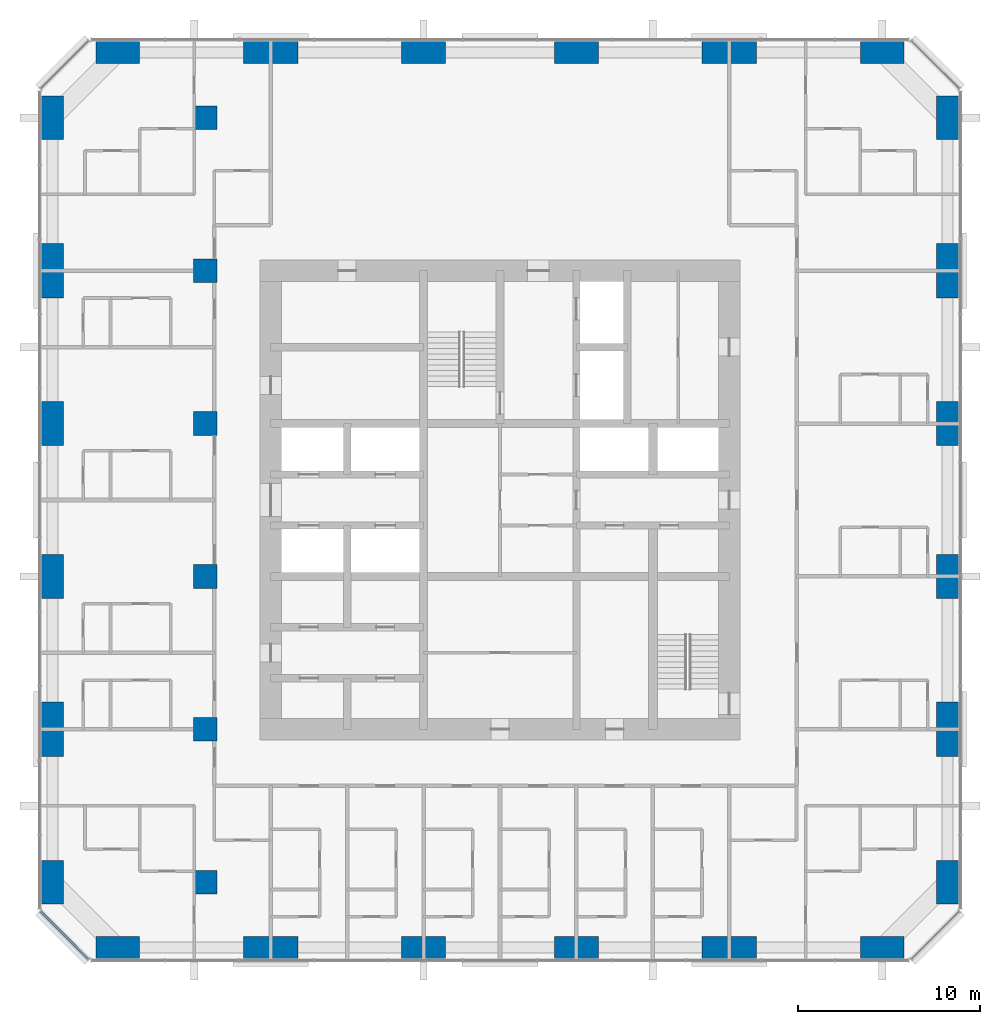
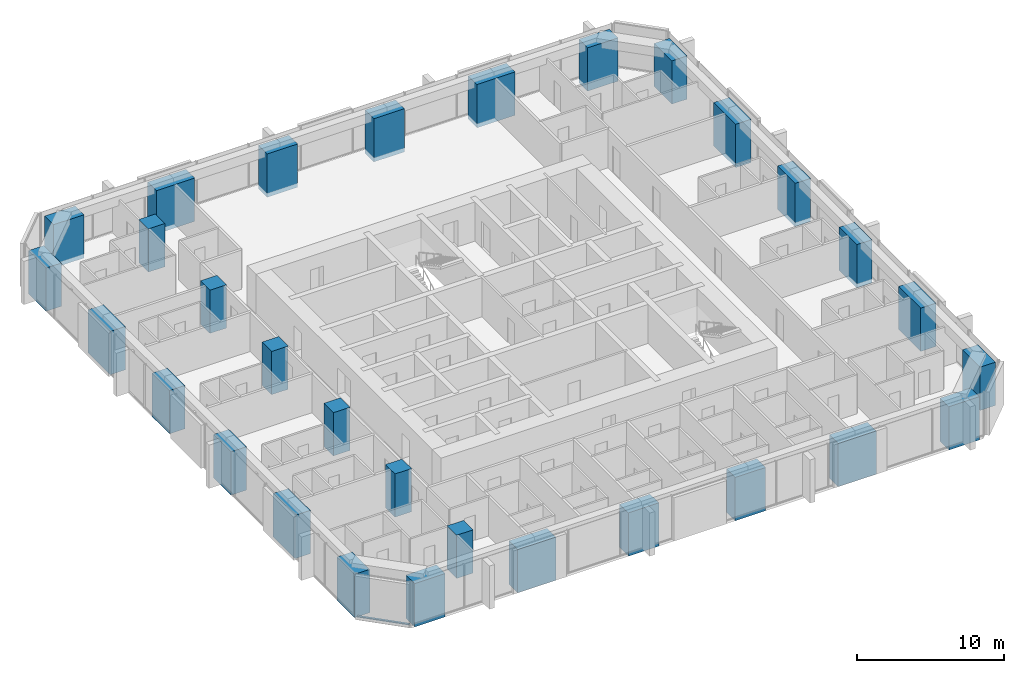
# One storey, part 1 of 14: 30 columns, 1 member, 1 element without a shape of its own.
"""IFC4 building model written with IfcOpenShell, lengths in metres."""

from ifc_helpers import new_model, si_unit, direction, frame, origin, origin_2d, place, context, subcontext, project, spatial, rectangle, extrude, material, material_profile, profile_set, type_object, element, aggregate, save


model = new_model("IFC4")

# Units and contexts
model_context = context("Model", 3, precision=1e-05, world=origin(), true_north=direction((0.0, 1.0)))
body_context = subcontext(model_context, "Body", "Model", "MODEL_VIEW")
ifc_project = project(units=[si_unit("LENGTHUNIT", "METRE"), si_unit("AREAUNIT", "SQUARE_METRE"), si_unit("VOLUMEUNIT", "CUBIC_METRE"), si_unit("PLANEANGLEUNIT", "RADIAN"), si_unit("MASSUNIT", "GRAM", prefix="KILO")], contexts=[model_context])

# Site, building, storey
site_placement = place(None, origin())
site = spatial("IfcSite", under=ifc_project, at=site_placement, CompositionType="ELEMENT")
building_placement = place(site_placement, origin())
building = spatial("IfcBuilding", under=site, at=building_placement, Name="Dunama Terrace Hotel", CompositionType="ELEMENT")
storey_placement = place(building_placement, frame((0.0, 0.0, 213.0)))
storey = spatial("IfcBuildingStorey", under=building, at=storey_placement, Name="L55", CompositionType="ELEMENT", Elevation=213.0)

# Columns
ifc_material_1 = material(Name="Concrete C60/75", Category="concrete")
ifc_material_profile_1 = material_profile(ifc_material_1, rectangle(XDim=1.199951171875, YDim=2.39990234375, at=origin_2d()), Name="RC 1200x2400")
ifc_profile_set_1 = profile_set([ifc_material_profile_1], Name="Concrete C60/75")
column_type_1 = type_object("IfcColumnType", Name="Column RC 1200x2400", PredefinedType="COLUMN", material=ifc_profile_set_1)
for number, where, z_axis, x_axis, name in (
    (1, (4.800048828125, 8.39990234375, -0.35009765625), (0.0, 0.0, 1.0), (1.0, 0.0, 0.0), "Column L55 +4.8/+8.4"),
    (2, (4.800048828125, 25.199951171875, -0.35009765625), (0.0, 0.0, 1.0), (1.0, 0.0, 0.0), "Column L55 +4.8/+25.2"),
    (3, (4.800048828125, 33.60009765625, -0.35009765625), (0.0, 0.0, 1.0), (1.0, 0.0, 0.0), "Column L55 +4.8/+33.6"),
    (4, (4.800048828125, 50.39990234375, -0.35009765625), (0.0, 0.0, 1.0), (1.0, 0.0, 0.0), "Column L55 +4.8/+50.4"),
    (5, (54.0, 8.39990234375, -0.35009765625), (0.0, 0.0, 1.0), (1.0, 0.0, 0.0), "Column L55 +54.0/+8.4"),
    (6, (54.0, 25.199951171875, -0.35009765625), (0.0, 0.0, 1.0), (1.0, 0.0, 0.0), "Column L55 +54.0/+25.2"),
    (7, (54.0, 33.60009765625, -0.35009765625), (0.0, 0.0, 1.0), (1.0, 0.0, 0.0), "Column L55 +54.0/+33.6"),
    (8, (54.0, 50.39990234375, -0.35009765625), (0.0, 0.0, 1.0), (1.0, 0.0, 0.0), "Column L55 +54.0/+50.4"),
):
    element("IfcColumn", number, at=place(storey_placement, frame(where, z_axis=z_axis, x_axis=x_axis)), inside=storey, type_object=column_type_1, Name=name, PredefinedType="COLUMN", context=body_context, shape_type="SweptSolid", body=[
        extrude(rectangle(XDim=1.199951171875, YDim=2.39990234375, at=origin_2d()), origin(), (0.0, 0.0, 1.0), 3.60009765625),
    ])
ifc_material_2 = material(Name="Concrete C60/75", Category="concrete")
ifc_material_profile_2 = material_profile(ifc_material_2, rectangle(XDim=1.199951171875, YDim=3.0, at=origin_2d()), Name="RC 1200x3000")
ifc_profile_set_2 = profile_set([ifc_material_profile_2], Name="Concrete C60/75")
column_type_2 = type_object("IfcColumnType", Name="Column RC 1200x3000", PredefinedType="COLUMN", material=ifc_profile_set_2)
for number, where, z_axis, x_axis, name in (
    (9, (4.800048828125, 16.800048828125, -0.35009765625), (0.0, 0.0, 1.0), (1.0, 0.0, 0.0), "Column L55 +4.8/+16.8"),
    (10, (4.800048828125, 42.0, -0.35009765625), (0.0, 0.0, 1.0), (1.0, 0.0, 0.0), "Column L55 +4.8/+42.0"),
    (11, (54.0, 16.800048828125, -0.35009765625), (0.0, 0.0, 1.0), (1.0, 0.0, 0.0), "Column L55 +54.0/+16.8"),
    (12, (54.0, 42.0, -0.35009765625), (0.0, 0.0, 1.0), (1.0, 0.0, 0.0), "Column L55 +54.0/+42.0"),
):
    element("IfcColumn", number, at=place(storey_placement, frame(where, z_axis=z_axis, x_axis=x_axis)), inside=storey, type_object=column_type_2, Name=name, PredefinedType="COLUMN", context=body_context, shape_type="SweptSolid", body=[
        extrude(rectangle(XDim=1.199951171875, YDim=3.0, at=origin_2d()), origin(), (0.0, 0.0, 1.0), 3.60009765625),
    ])
ifc_material_3 = material(Name="Concrete C60/75", Category="concrete")
ifc_material_profile_3 = material_profile(ifc_material_3, rectangle(XDim=1.300048828125, YDim=1.300048828125, at=origin_2d()), Name="RC 1300x1300")
ifc_profile_set_3 = profile_set([ifc_material_profile_3], Name="Concrete C60/75")
column_type_3 = type_object("IfcColumnType", Name="Column RC 1300x1300", PredefinedType="COLUMN", material=ifc_profile_set_3)
for number, where, z_axis, x_axis, name in (
    (13, (13.199951171875, 8.39990234375, -0.35009765625), (0.0, 0.0, 1.0), (1.0, 0.0, 0.0), "Column L55 +13.2/+8.4"),
    (14, (13.199951171875, 16.800048828125, -0.35009765625), (0.0, 0.0, 1.0), (1.0, 0.0, 0.0), "Column L55 +13.2/+16.8"),
    (15, (13.199951171875, 25.199951171875, -0.35009765625), (0.0, 0.0, 1.0), (1.0, 0.0, 0.0), "Column L55 +13.2/+25.2"),
    (16, (13.199951171875, 33.60009765625, -0.35009765625), (0.0, 0.0, 1.0), (1.0, 0.0, 0.0), "Column L55 +13.2/+33.6"),
    (17, (13.199951171875, 42.0, -0.35009765625), (0.0, 0.0, 1.0), (1.0, 0.0, 0.0), "Column L55 +13.2/+42.0"),
    (18, (13.199951171875, 50.39990234375, -0.35009765625), (0.0, 0.0, 1.0), (1.0, 0.0, 0.0), "Column L55 +13.2/+50.4"),
):
    element("IfcColumn", number, at=place(storey_placement, frame(where, z_axis=z_axis, x_axis=x_axis)), inside=storey, type_object=column_type_3, Name=name, PredefinedType="COLUMN", context=body_context, shape_type="SweptSolid", body=[
        extrude(rectangle(XDim=1.300048828125, YDim=1.300048828125, at=origin_2d()), origin(), (0.0, 0.0, 1.0), 3.60009765625),
    ])
ifc_material_4 = material(Name="Concrete C60/75", Category="concrete")
ifc_material_profile_4 = material_profile(ifc_material_4, rectangle(XDim=2.39990234375, YDim=1.199951171875, at=origin_2d()), Name="RC 2400x1200")
ifc_profile_set_4 = profile_set([ifc_material_profile_4], Name="Concrete C60/75")
column_type_4 = type_object("IfcColumnType", Name="Column RC 2400x1200", PredefinedType="COLUMN", material=ifc_profile_set_4)
for number, where, z_axis, x_axis, name in (
    (19, (8.39990234375, 4.800048828125, -0.35009765625), (0.0, 0.0, 1.0), (1.0, 0.0, 0.0), "Column L55 +8.4/+4.8"),
    (20, (8.39990234375, 54.0, -0.35009765625), (0.0, 0.0, 1.0), (1.0, 0.0, 0.0), "Column L55 +8.4/+54.0"),
    (21, (25.199951171875, 4.800048828125, -0.35009765625), (0.0, 0.0, 1.0), (1.0, 0.0, 0.0), "Column L55 +25.2/+4.8"),
    (22, (25.199951171875, 54.0, -0.35009765625), (0.0, 0.0, 1.0), (1.0, 0.0, 0.0), "Column L55 +25.2/+54.0"),
    (23, (33.60009765625, 4.800048828125, -0.35009765625), (0.0, 0.0, 1.0), (1.0, 0.0, 0.0), "Column L55 +33.6/+4.8"),
    (24, (33.60009765625, 54.0, -0.35009765625), (0.0, 0.0, 1.0), (1.0, 0.0, 0.0), "Column L55 +33.6/+54.0"),
    (25, (50.39990234375, 4.800048828125, -0.35009765625), (0.0, 0.0, 1.0), (1.0, 0.0, 0.0), "Column L55 +50.4/+4.8"),
    (26, (50.39990234375, 54.0, -0.35009765625), (0.0, 0.0, 1.0), (1.0, 0.0, 0.0), "Column L55 +50.4/+54.0"),
):
    element("IfcColumn", number, at=place(storey_placement, frame(where, z_axis=z_axis, x_axis=x_axis)), inside=storey, type_object=column_type_4, Name=name, PredefinedType="COLUMN", context=body_context, shape_type="SweptSolid", body=[
        extrude(rectangle(XDim=2.39990234375, YDim=1.199951171875, at=origin_2d()), origin(), (0.0, 0.0, 1.0), 3.60009765625),
    ])
ifc_material_5 = material(Name="Concrete C60/75", Category="concrete")
ifc_material_profile_5 = material_profile(ifc_material_5, rectangle(XDim=3.0, YDim=1.199951171875, at=origin_2d()), Name="RC 3000x1200")
ifc_profile_set_5 = profile_set([ifc_material_profile_5], Name="Concrete C60/75")
column_type_5 = type_object("IfcColumnType", Name="Column RC 3000x1200", PredefinedType="COLUMN", material=ifc_profile_set_5)
for number, where, z_axis, x_axis, name in (
    (27, (16.800048828125, 4.800048828125, -0.35009765625), (0.0, 0.0, 1.0), (1.0, 0.0, 0.0), "Column L55 +16.8/+4.8"),
    (28, (16.800048828125, 54.0, -0.35009765625), (0.0, 0.0, 1.0), (1.0, 0.0, 0.0), "Column L55 +16.8/+54.0"),
    (29, (42.0, 4.800048828125, -0.35009765625), (0.0, 0.0, 1.0), (1.0, 0.0, 0.0), "Column L55 +42.0/+4.8"),
    (30, (42.0, 54.0, -0.35009765625), (0.0, 0.0, 1.0), (1.0, 0.0, 0.0), "Column L55 +42.0/+54.0"),
):
    element("IfcColumn", number, at=place(storey_placement, frame(where, z_axis=z_axis, x_axis=x_axis)), inside=storey, type_object=column_type_5, Name=name, PredefinedType="COLUMN", context=body_context, shape_type="SweptSolid", body=[
        extrude(rectangle(XDim=3.0, YDim=1.199951171875, at=origin_2d()), origin(), (0.0, 0.0, 1.0), 3.60009765625),
    ])

# Curtain wall, member
ifc_material_6 = material(Name="Aluminium curtain wall system", Category="aluminium")
curtain_wall_type = type_object("IfcCurtainWallType", Name="Unitised fritted glass wall CW-C", PredefinedType="NOTDEFINED", material=ifc_material_6)
curtain_wall_placement = place(storey_placement, origin())
curtain_wall = element("IfcCurtainWall", 31, at=curtain_wall_placement, inside=storey, type_object=curtain_wall_type, Name="Unitised fritted glass wall CW-C L55", PredefinedType="NOTDEFINED")
ifc_material_7 = material(Name="Aluminium transom", Category="aluminium")
ifc_material_profile_6 = material_profile(ifc_material_7, rectangle(XDim=0.159912109375, YDim=0.080078125, at=origin_2d()), Name="CWC TRANSOM 160X80")
ifc_profile_set_6 = profile_set([ifc_material_profile_6], Name="Aluminium transom")
member_type = type_object("IfcMemberType", Name="CWC transom 160x80", PredefinedType="USERDEFINED", material=ifc_profile_set_6)
member_placement = place(storey_placement, frame((4.178955078125, 6.780029296875, 0.0400390625), z_axis=(0.707106781187, -0.707106781187, 0.0), x_axis=(0.707106781187, 0.707106781187, 0.0)))
member = element("IfcMember", 32, at=member_placement, type_object=member_type, Name="CWC transom", ObjectType="TRANSOM", PredefinedType="USERDEFINED", context=body_context, shape_type="SweptSolid", body=[
    extrude(rectangle(XDim=0.159912109375, YDim=0.080078125, at=origin_2d()), origin(), (0.0, 0.0, 1.0), 3.678466796875),
])
aggregate(curtain_wall, [member])

save(model, "model.ifc")
